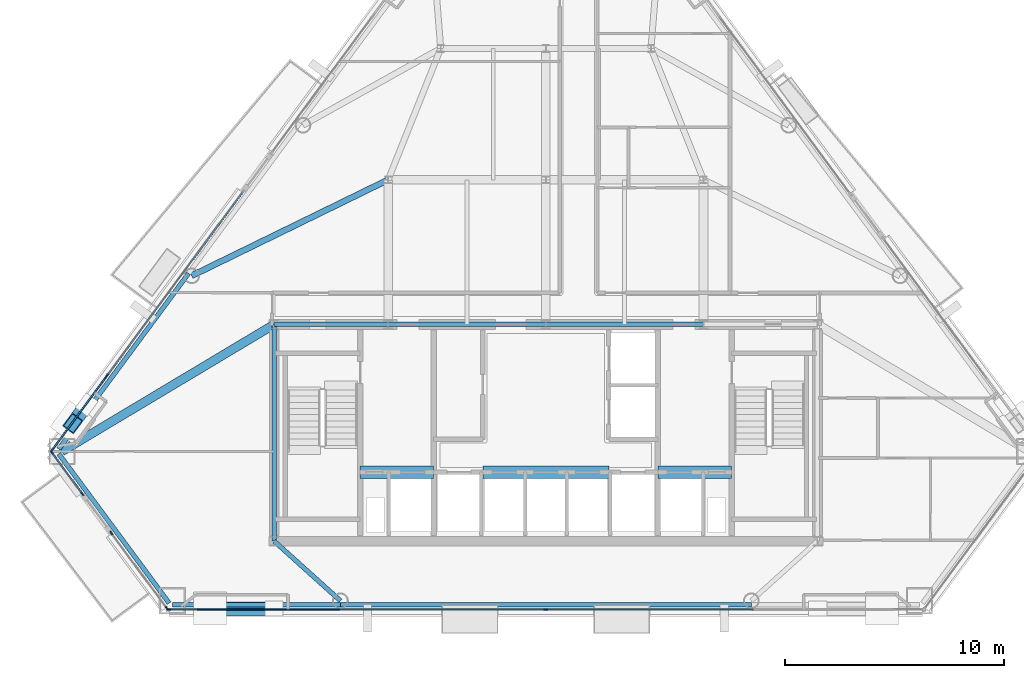
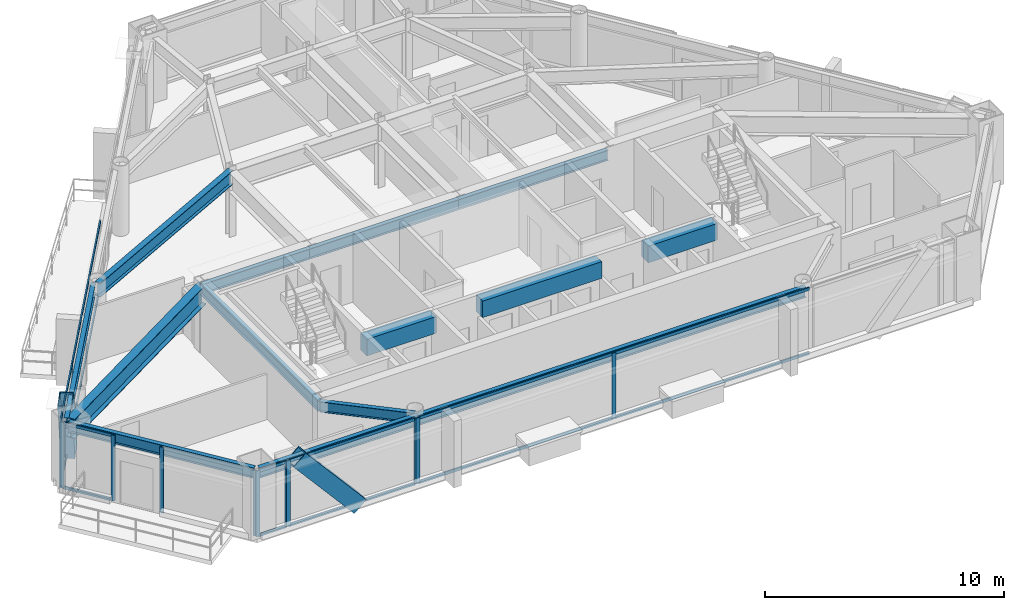
# One storey, part 3 of 11: 29 members, 14 beams, 7 elements without a shape of their own.
"""IFC4 building model written with IfcOpenShell, lengths in metres."""

from ifc_helpers import new_model, si_unit, direction, frame, origin, origin_2d, place, context, subcontext, project, spatial, rectangle, hollow_rectangle, i_section, extrude, material, layer, layer_set, material_profile, profile_set, type_object, element, aggregate, save


model = new_model("IFC4")

# Units and contexts
model_context = context("Model", 3, precision=1e-05, world=origin(), true_north=direction((0.0, 1.0)))
body_context = subcontext(model_context, "Body", "Model", "MODEL_VIEW")
ifc_project = project(units=[si_unit("LENGTHUNIT", "METRE"), si_unit("AREAUNIT", "SQUARE_METRE"), si_unit("VOLUMEUNIT", "CUBIC_METRE"), si_unit("PLANEANGLEUNIT", "RADIAN"), si_unit("MASSUNIT", "GRAM", prefix="KILO")], contexts=[model_context])

# Site, building, storey
site_placement = place(None, origin())
site = spatial("IfcSite", under=ifc_project, at=site_placement, CompositionType="ELEMENT")
building_placement = place(site_placement, origin())
building = spatial("IfcBuilding", under=site, at=building_placement, Name="Talgorran Terracotta Tower", CompositionType="ELEMENT")
storey_placement = place(building_placement, frame((0.0, 0.0, 129.300048828125)))
storey = spatial("IfcBuildingStorey", under=building, at=storey_placement, Name="L33", CompositionType="ELEMENT", Elevation=129.300048828125)

# Beams
ifc_material_1 = material(Name="Steel Grade 350 (350L0)", Category="steel")
ifc_material_profile_1 = material_profile(ifc_material_1, i_section(OverallWidth=0.39990234375, OverallDepth=1.0, WebThickness=0.01611328125, FlangeThickness=0.031005859375, at=origin_2d()), Name="1000WB296")
ifc_profile_set_1 = profile_set([ifc_material_profile_1], Name="Steel Grade 350 (350L0)")
beam_type_1 = type_object("IfcBeamType", Name="BM_1000WB296", PredefinedType="BEAM", material=ifc_profile_set_1)
beam_1_placement = place(storey_placement, frame((-12.39990234375, -4.199951171875, 2.849853515625), z_axis=(-0.858174722871, -0.513357716436, 0.0), x_axis=(0.513357716436, -0.858174722871, 0.0)))
element("IfcBeam", 1, at=beam_1_placement, inside=storey, type_object=beam_type_1, Name="L33 Floor Girder G17", PredefinedType="BEAM", context=body_context, shape_type="SweptSolid", body=[
    extrude(i_section(OverallWidth=0.39990234375, OverallDepth=1.0, WebThickness=0.01611328125, FlangeThickness=0.031005859375, at=origin_2d()), origin(), (0.0, 0.0, 1.0), 11.298828125),
])
ifc_material_2 = material(Name="Steel S355 (300PLUS)", Category="steel")
ifc_material_profile_2 = material_profile(ifc_material_2, i_section(OverallWidth=0.27490234375, OverallDepth=0.7080078125, WebThickness=0.011962890625, FlangeThickness=0.02490234375, at=origin_2d()), Name="700WB173")
ifc_profile_set_2 = profile_set([ifc_material_profile_2], Name="Steel S355 (300PLUS)")
beam_type_2 = type_object("IfcBeamType", Name="BM_700WB173", PredefinedType="BEAM", material=ifc_profile_set_2)
beam_2_placement = place(storey_placement, frame((-7.199951171875, 2.39990234375, 2.995849609375), z_axis=(-0.898565721625, -0.438838972655, 0.0), x_axis=(0.438838972655, -0.898565721625, 0.0)))
element("IfcBeam", 2, at=beam_2_placement, inside=storey, type_object=beam_type_2, Name="L33 Floor Girder G06", PredefinedType="BEAM", context=body_context, shape_type="SweptSolid", body=[
    extrude(i_section(OverallWidth=0.27490234375, OverallDepth=0.7080078125, WebThickness=0.011962890625, FlangeThickness=0.02490234375, at=origin_2d()), origin(), (0.0, 0.0, 1.0), 9.981689453125),
])
ifc_material_3 = material(Name="Concrete C50/60", Category="concrete")
ifc_material_profile_3 = material_profile(ifc_material_3, rectangle(XDim=0.550048828125, YDim=0.85009765625, at=origin_2d()), Name="RCCB550X850")
ifc_profile_set_3 = profile_set([ifc_material_profile_3], Name="Concrete C50/60")
beam_type_3 = type_object("IfcBeamType", Name="BM_CB_550X850", PredefinedType="LINTEL", material=ifc_profile_set_3)
beam_3_placement = place(storey_placement, frame((-8.47998046875, -10.949951171875, 2.925048828125), z_axis=(1.0, 0.0, 0.0), x_axis=(0.0, 1.0, 0.0)))
element("IfcBeam", 3, at=beam_3_placement, inside=storey, type_object=beam_type_3, Name="L33 Core Shear-Wall Coupling Beam CB1", PredefinedType="LINTEL", context=body_context, shape_type="SweptSolid", body=[
    extrude(rectangle(XDim=0.550048828125, YDim=0.85009765625, at=origin_2d()), origin(), (0.0, 0.0, 1.0), 3.35986328125),
])
beam_4_placement = place(storey_placement, frame((-2.8798828125, -10.949951171875, 2.925048828125), z_axis=(1.0, 0.0, 0.0), x_axis=(0.0, 1.0, 0.0)))
element("IfcBeam", 4, at=beam_4_placement, inside=storey, type_object=beam_type_3, Name="L33 Core Shear-Wall Coupling Beam CB2", PredefinedType="LINTEL", context=body_context, shape_type="SweptSolid", body=[
    extrude(rectangle(XDim=0.550048828125, YDim=0.85009765625, at=origin_2d()), origin(), (0.0, 0.0, 1.0), 5.759765625),
])
beam_5_placement = place(storey_placement, frame((5.1201171875, -10.949951171875, 2.925048828125), z_axis=(1.0, 0.0, 0.0), x_axis=(0.0, 1.0, 0.0)))
element("IfcBeam", 5, at=beam_5_placement, inside=storey, type_object=beam_type_3, Name="L33 Core Shear-Wall Coupling Beam CB3", PredefinedType="LINTEL", context=body_context, shape_type="SweptSolid", body=[
    extrude(rectangle(XDim=0.550048828125, YDim=0.85009765625, at=origin_2d()), origin(), (0.0, 0.0, 1.0), 3.35986328125),
])
ifc_material_profile_4 = material_profile(ifc_material_2, i_section(OverallWidth=0.209228515625, OverallDepth=0.532958984375, WebThickness=0.01025390625, FlangeThickness=0.015625, at=origin_2d()), Name="530UB92.4")
ifc_profile_set_4 = profile_set([ifc_material_profile_4], Name="Steel S355 (300PLUS)")
beam_type_4 = type_object("IfcBeamType", Name="BM_SP_530UB92", PredefinedType="SPANDREL", material=ifc_profile_set_4)
beam_6_placement = place(storey_placement, frame((-22.2412109375, -10.107177734375, 3.08349609375), z_axis=(0.594369201234, -0.804192298288, 0.0), x_axis=(0.804192298288, 0.594369201234, 0.0)))
element("IfcBeam", 6, at=beam_6_placement, inside=storey, type_object=beam_type_4, Name="L33 Perimeter Spandrel Beam MC1-MC2", PredefinedType="SPANDREL", context=body_context, shape_type="SweptSolid", body=[
    extrude(i_section(OverallWidth=0.209228515625, OverallDepth=0.532958984375, WebThickness=0.01025390625, FlangeThickness=0.015625, at=origin_2d()), origin(), (0.0, 0.0, 1.0), 8.478759765625),
])
beam_7_placement = place(storey_placement, frame((-17.056884765625, -16.998779296875, 3.08349609375), z_axis=(1.0, 0.0, 0.0), x_axis=(0.0, 1.0, 0.0)))
element("IfcBeam", 7, at=beam_7_placement, inside=storey, type_object=beam_type_4, Name="L33 Perimeter Spandrel Beam MC2-FC1", PredefinedType="SPANDREL", context=body_context, shape_type="SweptSolid", body=[
    extrude(i_section(OverallWidth=0.209228515625, OverallDepth=0.532958984375, WebThickness=0.01025390625, FlangeThickness=0.015625, at=origin_2d()), origin(), (0.0, 0.0, 1.0), 7.67578125),
])
beam_8_placement = place(storey_placement, frame((-9.381103515625, -16.998779296875, 3.08349609375), z_axis=(1.0, 0.0, 0.0), x_axis=(0.0, 1.0, 0.0)))
element("IfcBeam", 8, at=beam_8_placement, inside=storey, type_object=beam_type_4, Name="L33 Perimeter Spandrel Beam FC1-FC2", PredefinedType="SPANDREL", context=body_context, shape_type="SweptSolid", body=[
    extrude(i_section(OverallWidth=0.209228515625, OverallDepth=0.532958984375, WebThickness=0.01025390625, FlangeThickness=0.015625, at=origin_2d()), origin(), (0.0, 0.0, 1.0), 18.76220703125),
])
beam_9_placement = place(storey_placement, frame((-16.31396484375, -1.873291015625, 3.08349609375), z_axis=(-0.594352513119, -0.804204632011, 0.0), x_axis=(0.804204632011, -0.594352513119, 0.0)))
element("IfcBeam", 9, at=beam_9_placement, inside=storey, type_object=beam_type_4, Name="L33 Perimeter Spandrel Beam FC6-MC1", PredefinedType="SPANDREL", context=body_context, shape_type="SweptSolid", body=[
    extrude(i_section(OverallWidth=0.209228515625, OverallDepth=0.532958984375, WebThickness=0.01025390625, FlangeThickness=0.015625, at=origin_2d()), origin(), (0.0, 0.0, 1.0), 9.97265625),
])
beam_10_placement = place(storey_placement, frame((-9.381103515625, -16.81884765625, 3.08349609375), z_axis=(-0.74306999476, 0.669213704945, 0.0), x_axis=(-0.669213704945, -0.74306999476, 0.0)))
element("IfcBeam", 10, at=beam_10_placement, inside=storey, type_object=beam_type_4, Name="L33 South-West Core Tie Beam", PredefinedType="SPANDREL", context=body_context, shape_type="SweptSolid", body=[
    extrude(i_section(OverallWidth=0.209228515625, OverallDepth=0.532958984375, WebThickness=0.01025390625, FlangeThickness=0.015625, at=origin_2d()), origin(), (0.0, 0.0, 1.0), 4.0625),
])
beam_11_placement = place(storey_placement, frame((-12.39990234375, -14.10009765625, 3.08349609375), z_axis=(0.0, 1.0, 0.0), x_axis=(-1.0, 0.0, 0.0)))
element("IfcBeam", 11, at=beam_11_placement, inside=storey, type_object=beam_type_4, Name="L33 Core Frame Beam CFW", PredefinedType="SPANDREL", context=body_context, shape_type="SweptSolid", body=[
    extrude(i_section(OverallWidth=0.209228515625, OverallDepth=0.532958984375, WebThickness=0.01025390625, FlangeThickness=0.015625, at=origin_2d()), origin(), (0.0, 0.0, 1.0), 9.900146484375),
])
beam_12_placement = place(storey_placement, frame((-12.39990234375, -4.199951171875, 3.08349609375), z_axis=(1.0, 0.0, 0.0), x_axis=(0.0, 1.0, 0.0)))
element("IfcBeam", 12, at=beam_12_placement, inside=storey, type_object=beam_type_4, Name="L33 Core Frame Beam CFN1", PredefinedType="SPANDREL", context=body_context, shape_type="SweptSolid", body=[
    extrude(i_section(OverallWidth=0.209228515625, OverallDepth=0.532958984375, WebThickness=0.01025390625, FlangeThickness=0.015625, at=origin_2d()), origin(), (0.0, 0.0, 1.0), 5.199951171875),
])
for number, where, z_axis, x_axis, name in (
    (13, (-7.199951171875, -4.199951171875, 3.08349609375), (1.0, 0.0, 0.0), (0.0, 1.0, 0.0), "L33 Core Frame Beam CFN2"),
    (14, (0.0, -4.199951171875, 3.08349609375), (1.0, 0.0, 0.0), (0.0, 1.0, 0.0), "L33 Core Frame Beam CFN3"),
):
    element("IfcBeam", number, at=place(storey_placement, frame(where, z_axis=z_axis, x_axis=x_axis)), inside=storey, type_object=beam_type_4, Name=name, PredefinedType="SPANDREL", context=body_context, shape_type="SweptSolid", body=[
        extrude(i_section(OverallWidth=0.209228515625, OverallDepth=0.532958984375, WebThickness=0.01025390625, FlangeThickness=0.015625, at=origin_2d()), origin(), (0.0, 0.0, 1.0), 7.199951171875),
    ])

# Members
ifc_material_profile_5 = material_profile(ifc_material_1, hollow_rectangle(XDim=0.6201171875, YDim=0.780029296875, WallThickness=0.0419921875, at=origin_2d()), Name="WBOX780X620X42")
ifc_profile_set_5 = profile_set([ifc_material_profile_5], Name="Steel Grade 350 (350L0)")
member_type_1 = type_object("IfcMemberType", Name="MB_MEGA_780", PredefinedType="BRACE", material=ifc_profile_set_5)
member_1_placement = place(storey_placement, frame((-12.41162109375, -17.178955078125, -0.025146484375), z_axis=(-0.652876142125, 0.0, 0.757464681054), x_axis=(0.0, -1.0, 0.0)))
element("IfcMember", 15, at=member_1_placement, inside=storey, type_object=member_type_1, Name="L33 Exterior Face Mega-Brace MB-2 (SWF)", PredefinedType="BRACE", context=body_context, shape_type="SweptSolid", body=[
    extrude(hollow_rectangle(XDim=0.6201171875, YDim=0.780029296875, WallThickness=0.0419921875, at=origin_2d()), origin(), (0.0, 0.0, 1.0), 4.48876953125),
])
member_2_placement = place(storey_placement, frame((-20.96142578125, -7.85888671875, -0.025146484375), z_axis=(-0.178542982228, -0.241618581243, 0.953804416374), x_axis=(0.804247199426, -0.594294911821, 0.0)))
element("IfcMember", 16, at=member_2_placement, inside=storey, type_object=member_type_1, Name="L33 Exterior Face Mega-Brace MB-2 (NWL)", PredefinedType="BRACE", context=body_context, shape_type="SweptSolid", body=[
    extrude(hollow_rectangle(XDim=0.6201171875, YDim=0.780029296875, WallThickness=0.0419921875, at=origin_2d()), origin(), (0.0, 0.0, 1.0), 3.56494140625),
])

# Curtain wall, members
ifc_material_4 = material(Name="Unitised Low-E Double Glazing", Category="glass")
ifc_layer = layer(ifc_material_4, 0.199951171875, Name="CW_SYS2_RES_LOW")
ifc_layer_set = layer_set([ifc_layer], Name="Unitised Low-E Double Glazing")
curtain_wall_type = type_object("IfcCurtainWallType", Name="CW_SYS2_RES_LOW", PredefinedType="NOTDEFINED", material=ifc_layer_set)
curtain_wall_1_placement = place(storey_placement, origin())
curtain_wall_1 = element("IfcCurtainWall", 17, at=curtain_wall_1_placement, inside=storey, type_object=curtain_wall_type, Name="CW-L33-F10", PredefinedType="NOTDEFINED")
ifc_material_5 = material(Name="Architectural Aluminium 6063-T6", Category="aluminium")
ifc_material_profile_6 = material_profile(ifc_material_5, rectangle(XDim=0.06494140625, YDim=0.18505859375, at=origin_2d()), Name="CWM65X185")
ifc_profile_set_6 = profile_set([ifc_material_profile_6], Name="Architectural Aluminium 6063-T6")
member_type_2 = type_object("IfcMemberType", Name="MUL_65X185", PredefinedType="MULLION", material=ifc_profile_set_6)
member_3_placement = place(storey_placement, frame((-22.550537109375, -10.05859375, 0.0), z_axis=(0.0, 0.0, 1.0), x_axis=(0.804206457438, 0.594350043169, 0.0)))
member_3 = element("IfcMember", 18, at=member_3_placement, type_object=member_type_2, Name="CW-L33-10 mullion 1", PredefinedType="MULLION", context=body_context, shape_type="SweptSolid", body=[
    extrude(rectangle(XDim=0.06494140625, YDim=0.18505859375, at=origin_2d()), origin(), (0.0, 0.0, 1.0), 3.349853515625),
])
member_4_placement = place(storey_placement, frame((-21.163330078125, -11.935791015625, 0.0), z_axis=(0.0, 0.0, 1.0), x_axis=(0.804206457438, 0.594350043169, 0.0)))
member_4 = element("IfcMember", 19, at=member_4_placement, type_object=member_type_2, Name="CW-L33-10 mullion 2", PredefinedType="MULLION", context=body_context, shape_type="SweptSolid", body=[
    extrude(rectangle(XDim=0.06494140625, YDim=0.18505859375, at=origin_2d()), origin(), (0.0, 0.0, 1.0), 3.349853515625),
])

curtain_wall_2_placement = place(storey_placement, origin())
curtain_wall_2 = element("IfcCurtainWall", 20, at=curtain_wall_2_placement, inside=storey, type_object=curtain_wall_type, Name="CW-L33-F11", PredefinedType="NOTDEFINED")
member_5_placement = place(storey_placement, frame((-19.8408203125, -13.72509765625, 0.0), z_axis=(0.0, 0.0, 1.0), x_axis=(0.804194350714, 0.594366424253, 0.0)))
member_5 = element("IfcMember", 21, at=member_5_placement, type_object=member_type_2, Name="CW-L33-11 mullion 1", PredefinedType="MULLION", context=body_context, shape_type="SweptSolid", body=[
    extrude(rectangle(XDim=0.06494140625, YDim=0.18505859375, at=origin_2d()), origin(), (0.0, 0.0, 1.0), 3.349853515625),
])
member_6_placement = place(storey_placement, frame((-17.3017578125, -17.16064453125, 0.0), z_axis=(0.0, 0.0, 1.0), x_axis=(0.804194350714, 0.594366424253, 0.0)))
member_6 = element("IfcMember", 22, at=member_6_placement, type_object=member_type_2, Name="CW-L33-11 mullion 2", PredefinedType="MULLION", context=body_context, shape_type="SweptSolid", body=[
    extrude(rectangle(XDim=0.06494140625, YDim=0.18505859375, at=origin_2d()), origin(), (0.0, 0.0, 1.0), 3.349853515625),
])
aggregate(curtain_wall_2, [member_5, member_6])

curtain_wall_3_placement = place(storey_placement, origin())
curtain_wall_3 = element("IfcCurtainWall", 23, at=curtain_wall_3_placement, inside=storey, type_object=curtain_wall_type, Name="CW-L33-F1", PredefinedType="NOTDEFINED")
member_7_placement = place(storey_placement, frame((-17.22607421875, -17.218994140625, 0.0), z_axis=(0.0, 0.0, 1.0), x_axis=(0.0, 1.0, 0.0)))
member_7 = element("IfcMember", 24, at=member_7_placement, type_object=member_type_2, Name="CW-L33-1 mullion 1", PredefinedType="MULLION", context=body_context, shape_type="SweptSolid", body=[
    extrude(rectangle(XDim=0.06494140625, YDim=0.18505859375, at=origin_2d()), origin(), (0.0, 0.0, 1.0), 3.349853515625),
])
member_8_placement = place(storey_placement, frame((-15.8251953125, -17.218994140625, 0.0), z_axis=(0.0, 0.0, 1.0), x_axis=(0.0, 1.0, 0.0)))
member_8 = element("IfcMember", 25, at=member_8_placement, type_object=member_type_2, Name="CW-L33-1 mullion 2", PredefinedType="MULLION", context=body_context, shape_type="SweptSolid", body=[
    extrude(rectangle(XDim=0.06494140625, YDim=0.18505859375, at=origin_2d()), origin(), (0.0, 0.0, 1.0), 3.349853515625),
])

curtain_wall_4_placement = place(storey_placement, origin())
curtain_wall_4 = element("IfcCurtainWall", 26, at=curtain_wall_4_placement, inside=storey, type_object=curtain_wall_type, Name="CW-L33-F1B", PredefinedType="NOTDEFINED")
member_9_placement = place(storey_placement, frame((-15.75, -17.218994140625, 0.0), z_axis=(0.0, 0.0, 1.0), x_axis=(0.0, 1.0, 0.0)))
member_9 = element("IfcMember", 27, at=member_9_placement, type_object=member_type_2, Name="CW-L33-1B mullion 1", PredefinedType="MULLION", context=body_context, shape_type="SweptSolid", body=[
    extrude(rectangle(XDim=0.06494140625, YDim=0.18505859375, at=origin_2d()), origin(), (0.0, 0.0, 1.0), 3.349853515625),
])
member_10_placement = place(storey_placement, frame((-9.56787109375, -17.218994140625, 0.0), z_axis=(0.0, 0.0, 1.0), x_axis=(0.0, 1.0, 0.0)))
member_10 = element("IfcMember", 28, at=member_10_placement, type_object=member_type_2, Name="CW-L33-1B mullion 2", PredefinedType="MULLION", context=body_context, shape_type="SweptSolid", body=[
    extrude(rectangle(XDim=0.06494140625, YDim=0.18505859375, at=origin_2d()), origin(), (0.0, 0.0, 1.0), 3.349853515625),
])

curtain_wall_5_placement = place(storey_placement, origin())
curtain_wall_5 = element("IfcCurtainWall", 29, at=curtain_wall_5_placement, inside=storey, type_object=curtain_wall_type, Name="CW-L33-F1C", PredefinedType="NOTDEFINED")
member_11_placement = place(storey_placement, frame((-9.492919921875, -17.218994140625, 0.0), z_axis=(0.0, 0.0, 1.0), x_axis=(0.0, 1.0, 0.0)))
member_11 = element("IfcMember", 30, at=member_11_placement, type_object=member_type_2, Name="CW-L33-1C mullion 1", PredefinedType="MULLION", context=body_context, shape_type="SweptSolid", body=[
    extrude(rectangle(XDim=0.06494140625, YDim=0.18505859375, at=origin_2d()), origin(), (0.0, 0.0, 1.0), 3.349853515625),
])
member_12_placement = place(storey_placement, frame((0.0, -17.218994140625, 0.0), z_axis=(0.0, 0.0, 1.0), x_axis=(0.0, 1.0, 0.0)))
member_12 = element("IfcMember", 31, at=member_12_placement, type_object=member_type_2, Name="CW-L33-1C mullion 2", PredefinedType="MULLION", context=body_context, shape_type="SweptSolid", body=[
    extrude(rectangle(XDim=0.06494140625, YDim=0.18505859375, at=origin_2d()), origin(), (0.0, 0.0, 1.0), 3.349853515625),
])

# Curtain wall, member
curtain_wall_6_placement = place(storey_placement, origin())
curtain_wall_6 = element("IfcCurtainWall", 32, at=curtain_wall_6_placement, inside=storey, type_object=curtain_wall_type, Name="CW-L33-F61", PredefinedType="NOTDEFINED")
member_13_placement = place(storey_placement, frame((-20.024658203125, -6.524169921875, 0.0), z_axis=(0.0, 0.0, 1.0), x_axis=(0.804198531068, -0.594360768076, 0.0)))
member_13 = element("IfcMember", 33, at=member_13_placement, type_object=member_type_2, Name="CW-L33-61 mullion 2", PredefinedType="MULLION", context=body_context, shape_type="SweptSolid", body=[
    extrude(rectangle(XDim=0.06494140625, YDim=0.18505859375, at=origin_2d()), origin(), (0.0, 0.0, 1.0), 3.349853515625),
])

# Curtain wall, members
curtain_wall_7_placement = place(storey_placement, origin())
curtain_wall_7 = element("IfcCurtainWall", 34, at=curtain_wall_7_placement, inside=storey, type_object=curtain_wall_type, Name="CW-L33-F61B", PredefinedType="NOTDEFINED")
member_14_placement = place(storey_placement, frame((-20.0693359375, -6.58447265625, 0.0), z_axis=(0.0, 0.0, 1.0), x_axis=(0.804200158966, -0.594358565446, 0.0)))
member_14 = element("IfcMember", 35, at=member_14_placement, type_object=member_type_2, Name="CW-L33-61B mullion 1", PredefinedType="MULLION", context=body_context, shape_type="SweptSolid", body=[
    extrude(rectangle(XDim=0.06494140625, YDim=0.18505859375, at=origin_2d()), origin(), (0.0, 0.0, 1.0), 3.349853515625),
])
member_15_placement = place(storey_placement, frame((-22.550537109375, -9.94189453125, 0.0), z_axis=(0.0, 0.0, 1.0), x_axis=(0.804200158966, -0.594358565446, 0.0)))
member_15 = element("IfcMember", 36, at=member_15_placement, type_object=member_type_2, Name="CW-L33-61B mullion 2", PredefinedType="MULLION", context=body_context, shape_type="SweptSolid", body=[
    extrude(rectangle(XDim=0.06494140625, YDim=0.18505859375, at=origin_2d()), origin(), (0.0, 0.0, 1.0), 3.349853515625),
])

# Member
ifc_material_profile_7 = material_profile(ifc_material_5, rectangle(XDim=0.06494140625, YDim=0.14990234375, at=origin_2d()), Name="CWT65X150")
ifc_profile_set_7 = profile_set([ifc_material_profile_7], Name="Architectural Aluminium 6063-T6")
member_type_3 = type_object("IfcMemberType", Name="TRN_65X150", PredefinedType="USERDEFINED", material=ifc_profile_set_7)
member_16_placement = place(storey_placement, frame((-22.53125, -10.084716796875, 0.032470703125), z_axis=(0.59432148115, -0.804227565459, 0.0), x_axis=(0.804227565459, 0.59432148115, 0.0)))
member_16 = element("IfcMember", 37, at=member_16_placement, type_object=member_type_3, Name="CW-L33-10 transom 1.1", ObjectType="TRANSOM", PredefinedType="USERDEFINED", context=body_context, shape_type="SweptSolid", body=[
    extrude(rectangle(XDim=0.06494140625, YDim=0.14990234375, at=origin_2d()), origin(), (0.0, 0.0, 1.0), 2.269287109375),
])

member_17_placement = place(storey_placement, frame((-22.53125, -10.084716796875, 3.3173828125), z_axis=(0.59432148115, -0.804227565459, 0.0), x_axis=(0.804227565459, 0.59432148115, 0.0)))
member_17 = element("IfcMember", 38, at=member_17_placement, type_object=member_type_3, Name="CW-L33-10 transom 1.2", ObjectType="TRANSOM", PredefinedType="USERDEFINED", context=body_context, shape_type="SweptSolid", body=[
    extrude(rectangle(XDim=0.06494140625, YDim=0.14990234375, at=origin_2d()), origin(), (0.0, 0.0, 1.0), 2.269287109375),
])

aggregate(curtain_wall_1, [member_3, member_4, member_16, member_17])

member_18_placement = place(storey_placement, frame((-17.193603515625, -17.218994140625, 0.032470703125), z_axis=(1.0, 0.0, 0.0), x_axis=(0.0, 1.0, 0.0)))
member_18 = element("IfcMember", 39, at=member_18_placement, type_object=member_type_3, Name="CW-L33-1 transom 1.1", ObjectType="TRANSOM", PredefinedType="USERDEFINED", context=body_context, shape_type="SweptSolid", body=[
    extrude(rectangle(XDim=0.06494140625, YDim=0.14990234375, at=origin_2d()), origin(), (0.0, 0.0, 1.0), 1.3359375),
])

member_19_placement = place(storey_placement, frame((-17.193603515625, -17.218994140625, 3.3173828125), z_axis=(1.0, 0.0, 0.0), x_axis=(0.0, 1.0, 0.0)))
member_19 = element("IfcMember", 40, at=member_19_placement, type_object=member_type_3, Name="CW-L33-1 transom 1.2", ObjectType="TRANSOM", PredefinedType="USERDEFINED", context=body_context, shape_type="SweptSolid", body=[
    extrude(rectangle(XDim=0.06494140625, YDim=0.14990234375, at=origin_2d()), origin(), (0.0, 0.0, 1.0), 1.3359375),
])

aggregate(curtain_wall_3, [member_7, member_8, member_18, member_19])

member_20_placement = place(storey_placement, frame((-15.717529296875, -17.218994140625, 0.032470703125), z_axis=(1.0, 0.0, 0.0), x_axis=(0.0, 1.0, 0.0)))
member_20 = element("IfcMember", 41, at=member_20_placement, type_object=member_type_3, Name="CW-L33-1B transom 1.1", ObjectType="TRANSOM", PredefinedType="USERDEFINED", context=body_context, shape_type="SweptSolid", body=[
    extrude(rectangle(XDim=0.06494140625, YDim=0.14990234375, at=origin_2d()), origin(), (0.0, 0.0, 1.0), 6.1171875),
])

member_21_placement = place(storey_placement, frame((-15.717529296875, -17.218994140625, 3.3173828125), z_axis=(1.0, 0.0, 0.0), x_axis=(0.0, 1.0, 0.0)))
member_21 = element("IfcMember", 42, at=member_21_placement, type_object=member_type_3, Name="CW-L33-1B transom 1.2", ObjectType="TRANSOM", PredefinedType="USERDEFINED", context=body_context, shape_type="SweptSolid", body=[
    extrude(rectangle(XDim=0.06494140625, YDim=0.14990234375, at=origin_2d()), origin(), (0.0, 0.0, 1.0), 6.1171875),
])

aggregate(curtain_wall_4, [member_9, member_10, member_20, member_21])

member_22_placement = place(storey_placement, frame((-9.460205078125, -17.218994140625, 0.032470703125), z_axis=(1.0, 0.0, 0.0), x_axis=(0.0, 1.0, 0.0)))
member_22 = element("IfcMember", 43, at=member_22_placement, type_object=member_type_3, Name="CW-L33-1C transom 1.1", ObjectType="TRANSOM", PredefinedType="USERDEFINED", context=body_context, shape_type="SweptSolid", body=[
    extrude(rectangle(XDim=0.06494140625, YDim=0.14990234375, at=origin_2d()), origin(), (0.0, 0.0, 1.0), 9.427734375),
])

member_23_placement = place(storey_placement, frame((-9.460205078125, -17.218994140625, 3.3173828125), z_axis=(1.0, 0.0, 0.0), x_axis=(0.0, 1.0, 0.0)))
member_23 = element("IfcMember", 44, at=member_23_placement, type_object=member_type_3, Name="CW-L33-1C transom 1.2", ObjectType="TRANSOM", PredefinedType="USERDEFINED", context=body_context, shape_type="SweptSolid", body=[
    extrude(rectangle(XDim=0.06494140625, YDim=0.14990234375, at=origin_2d()), origin(), (0.0, 0.0, 1.0), 9.427734375),
])

member_24_placement = place(storey_placement, frame((0.032470703125, -17.218994140625, 0.032470703125), z_axis=(1.0, 0.0, 0.0), x_axis=(0.0, 1.0, 0.0)))
member_24 = element("IfcMember", 45, at=member_24_placement, type_object=member_type_3, Name="CW-L33-1C transom 2.1", ObjectType="TRANSOM", PredefinedType="USERDEFINED", context=body_context, shape_type="SweptSolid", body=[
    extrude(rectangle(XDim=0.06494140625, YDim=0.14990234375, at=origin_2d()), origin(), (0.0, 0.0, 1.0), 9.427734375),
])

member_25_placement = place(storey_placement, frame((0.032470703125, -17.218994140625, 3.3173828125), z_axis=(1.0, 0.0, 0.0), x_axis=(0.0, 1.0, 0.0)))
member_25 = element("IfcMember", 46, at=member_25_placement, type_object=member_type_3, Name="CW-L33-1C transom 2.2", ObjectType="TRANSOM", PredefinedType="USERDEFINED", context=body_context, shape_type="SweptSolid", body=[
    extrude(rectangle(XDim=0.06494140625, YDim=0.14990234375, at=origin_2d()), origin(), (0.0, 0.0, 1.0), 9.427734375),
])

aggregate(curtain_wall_5, [member_11, member_12, member_22, member_23, member_24, member_25])

member_26_placement = place(storey_placement, frame((-13.8486328125, 1.832275390625, 0.032470703125), z_axis=(-0.594362564718, -0.804197203217, 0.0), x_axis=(0.804197203217, -0.594362564718, 0.0)))
member_26 = element("IfcMember", 47, at=member_26_placement, type_object=member_type_3, Name="CW-L33-61 transom 1.1", ObjectType="TRANSOM", PredefinedType="USERDEFINED", context=body_context, shape_type="SweptSolid", body=[
    extrude(rectangle(XDim=0.06494140625, YDim=0.14990234375, at=origin_2d()), origin(), (0.0, 0.0, 1.0), 10.358642578125),
])

member_27_placement = place(storey_placement, frame((-13.8486328125, 1.832275390625, 3.3173828125), z_axis=(-0.594362564718, -0.804197203217, 0.0), x_axis=(0.804197203217, -0.594362564718, 0.0)))
member_27 = element("IfcMember", 48, at=member_27_placement, type_object=member_type_3, Name="CW-L33-61 transom 1.2", ObjectType="TRANSOM", PredefinedType="USERDEFINED", context=body_context, shape_type="SweptSolid", body=[
    extrude(rectangle(XDim=0.06494140625, YDim=0.14990234375, at=origin_2d()), origin(), (0.0, 0.0, 1.0), 10.358642578125),
])

aggregate(curtain_wall_6, [member_13, member_26, member_27])

member_28_placement = place(storey_placement, frame((-20.088623046875, -6.610595703125, 0.032470703125), z_axis=(-0.594339280863, -0.804214411226, 0.0), x_axis=(0.804214411226, -0.594339280863, 0.0)))
member_28 = element("IfcMember", 49, at=member_28_placement, type_object=member_type_3, Name="CW-L33-61B transom 1.1", ObjectType="TRANSOM", PredefinedType="USERDEFINED", context=body_context, shape_type="SweptSolid", body=[
    extrude(rectangle(XDim=0.06494140625, YDim=0.14990234375, at=origin_2d()), origin(), (0.0, 0.0, 1.0), 4.10986328125),
])

member_29_placement = place(storey_placement, frame((-20.088623046875, -6.610595703125, 3.3173828125), z_axis=(-0.594339280863, -0.804214411226, 0.0), x_axis=(0.804214411226, -0.594339280863, 0.0)))
member_29 = element("IfcMember", 50, at=member_29_placement, type_object=member_type_3, Name="CW-L33-61B transom 1.2", ObjectType="TRANSOM", PredefinedType="USERDEFINED", context=body_context, shape_type="SweptSolid", body=[
    extrude(rectangle(XDim=0.06494140625, YDim=0.14990234375, at=origin_2d()), origin(), (0.0, 0.0, 1.0), 4.10986328125),
])

aggregate(curtain_wall_7, [member_14, member_15, member_28, member_29])

save(model, "model.ifc")
